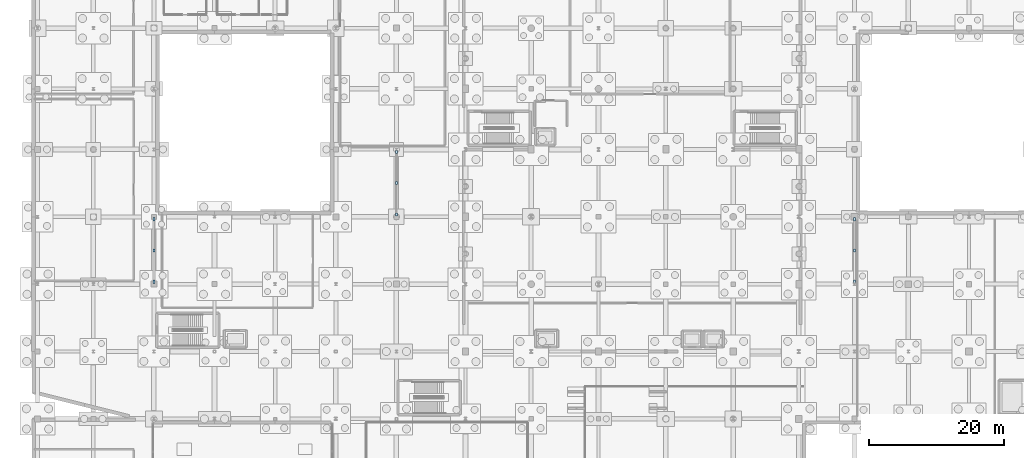
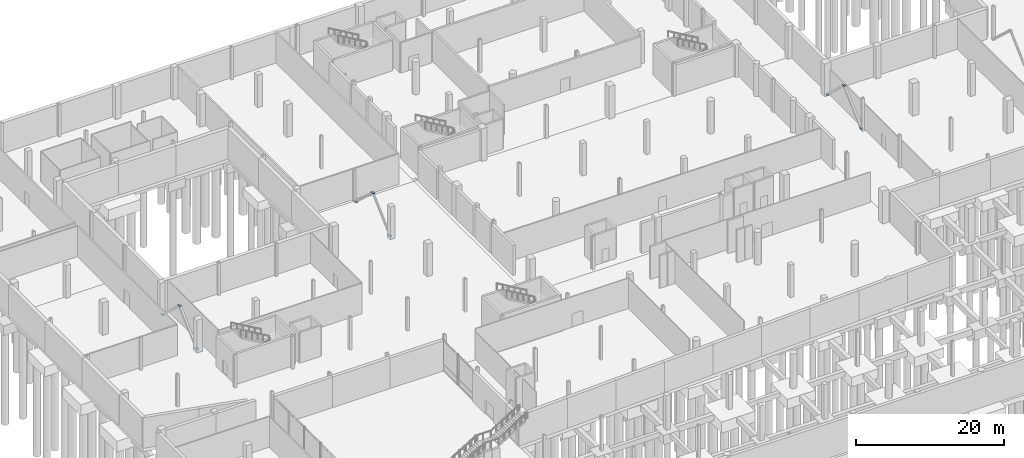
# One storey, part 40 of 60: 9 plates.
"""IFC4 building model written with IfcOpenShell, lengths in metres."""

from ifc_helpers import new_model, si_unit, direction, frame, origin, origin_2d, place, context, subcontext, project, spatial, rectangle, extrude, material, layer, layer_set, type_object, element, save


model = new_model("IFC4")

# Units and contexts
model_context = context("Model", 3, precision=1e-05, world=origin(), true_north=direction((0.0, 1.0)))
body_context = subcontext(model_context, "Body", "Model", "MODEL_VIEW")
ifc_project = project(units=[si_unit("LENGTHUNIT", "METRE"), si_unit("AREAUNIT", "SQUARE_METRE"), si_unit("VOLUMEUNIT", "CUBIC_METRE"), si_unit("PLANEANGLEUNIT", "RADIAN"), si_unit("MASSUNIT", "GRAM", prefix="KILO")], contexts=[model_context])

# Site, building, storey
site_placement = place(None, origin())
site = spatial("IfcSite", under=ifc_project, at=site_placement, CompositionType="ELEMENT")
building_placement = place(site_placement, origin())
building = spatial("IfcBuilding", under=site, at=building_placement, Name="Trimount Lyric Opera House", CompositionType="ELEMENT")
storey_placement = place(building_placement, frame((0.0, 0.0, -5.39990234375)))
storey = spatial("IfcBuildingStorey", under=building, at=storey_placement, Name="B1", CompositionType="ELEMENT", Elevation=-5.39990234375)

# Plates
ifc_material = material(Name="Steel ASTM A572 Grade 50", Category="steel")
ifc_layer = layer(ifc_material, 0.02490234375)
ifc_layer_set = layer_set([ifc_layer], Name="KN-02")
plate_type = type_object("IfcPlateType", Name="KN-02", PredefinedType="USERDEFINED", material=ifc_layer_set)
for number, where, z_axis, x_axis, name in (
    (1, (18.0, 64.35009765625, 0.137451171875), (0.0, 0.0, 1.0), (0.0, 1.0, 0.0), "B1 brace BRC-BF-1-B1-L1 end gusset plate A"),
    (2, (18.0, 69.0, 4.4375), (0.0, 0.0, 1.0), (0.0, 1.0, 0.0), "B1 brace BRC-BF-1-B1-L1 end gusset plate B"),
    (3, (18.0, 73.64990234375, 0.137451171875), (0.0, 0.0, 1.0), (0.0, -1.0, 0.0), "B1 brace BRC-BF-1-B1-L2 end gusset plate A"),
    (4, (54.0, 74.35009765625, 0.137451171875), (0.0, 0.0, 1.0), (0.0, 1.0, 0.0), "B1 brace BRC-BF-2-B1-L1 end gusset plate A"),
    (5, (54.0, 79.0, 4.4375), (0.0, 0.0, 1.0), (0.0, 1.0, 0.0), "B1 brace BRC-BF-2-B1-L1 end gusset plate B"),
    (6, (54.0, 83.64990234375, 0.137451171875), (0.0, 0.0, 1.0), (0.0, -1.0, 0.0), "B1 brace BRC-BF-2-B1-L2 end gusset plate A"),
    (7, (122.0, 64.35009765625, 0.137451171875), (0.0, 0.0, 1.0), (0.0, 1.0, 0.0), "B1 brace BRC-BF-3-B1-L1 end gusset plate A"),
    (8, (122.0, 69.0, 4.4375), (0.0, 0.0, 1.0), (0.0, 1.0, 0.0), "B1 brace BRC-BF-3-B1-L1 end gusset plate B"),
    (9, (122.0, 73.64990234375, 0.137451171875), (0.0, 0.0, 1.0), (0.0, -1.0, 0.0), "B1 brace BRC-BF-3-B1-L2 end gusset plate A"),
):
    element("IfcPlate", number, at=place(storey_placement, frame(where, z_axis=z_axis, x_axis=x_axis)), inside=storey, type_object=plate_type, Name=name, ObjectType="GUSSET_PLATE", PredefinedType="USERDEFINED", context=body_context, shape_type="SweptSolid", body=[
        extrude(rectangle(XDim=0.47998046875, YDim=0.340087890625, at=origin_2d()), origin(), (0.0, 0.0, 1.0), 0.02490234375),
    ])

save(model, "model.ifc")
